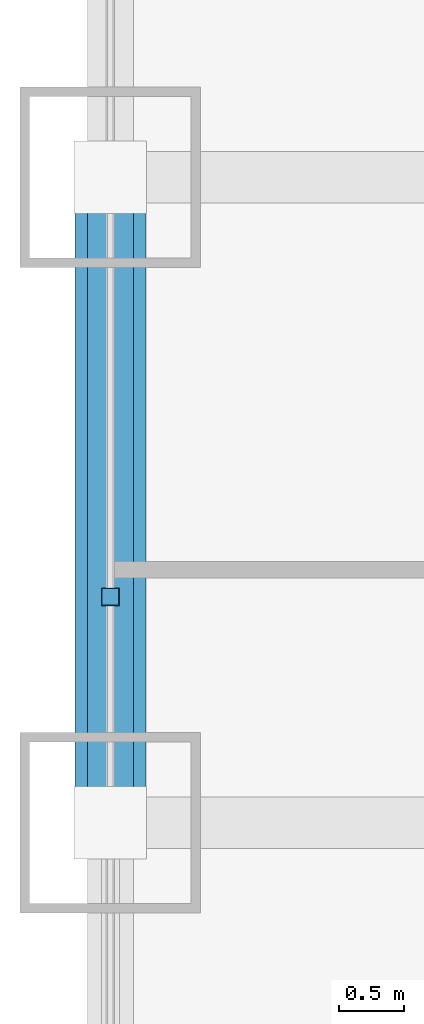
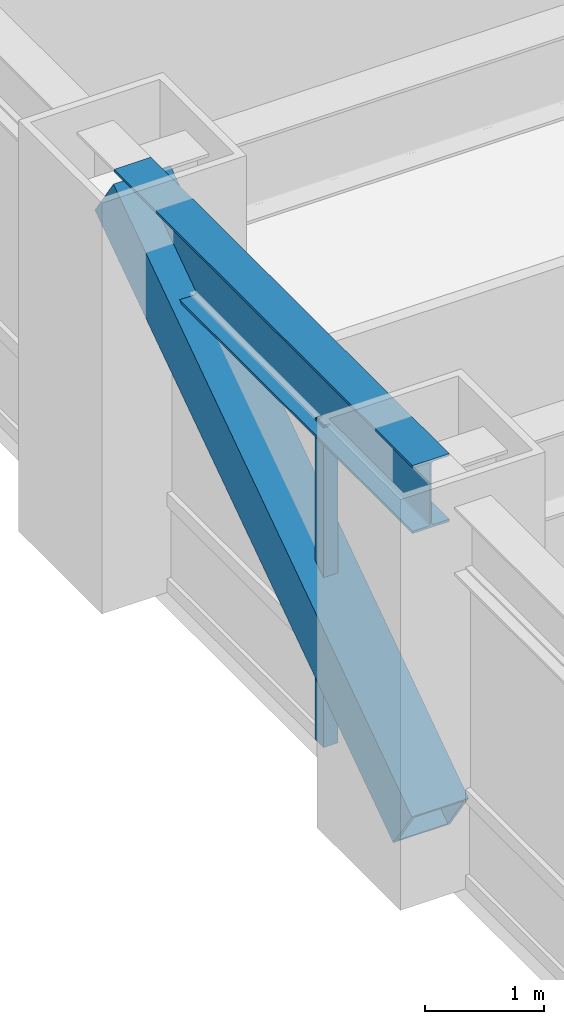
# One storey, part 6 of 28: 2 members, 1 beam, 1 element without a shape of its own.
"""IFC4 building model written with IfcOpenShell, lengths in metres."""

from ifc_helpers import new_model, si_unit, direction, frame, origin, origin_2d, place, context, subcontext, project, spatial, hollow_rectangle, i_section, extrude, source, transform, mapped, material, material_profile, profile_set, type_object, element, aggregate, save


model = new_model("IFC4")

# Units and contexts
model_context = context("Model", 3, precision=1e-05, world=origin(), true_north=direction((0.0, 1.0)))
body_context = subcontext(model_context, "Body", "Model", "MODEL_VIEW")
ifc_project = project(units=[si_unit("LENGTHUNIT", "METRE"), si_unit("AREAUNIT", "SQUARE_METRE"), si_unit("VOLUMEUNIT", "CUBIC_METRE"), si_unit("PLANEANGLEUNIT", "RADIAN"), si_unit("MASSUNIT", "GRAM", prefix="KILO")], contexts=[model_context])

# Site, building, storey
site_placement = place(None, origin())
site = spatial("IfcSite", under=ifc_project, at=site_placement, CompositionType="ELEMENT")
building_placement = place(site_placement, origin())
building = spatial("IfcBuilding", under=site, at=building_placement, Name="Khorayat Bourse Tower", CompositionType="ELEMENT")
storey_placement = place(building_placement, frame((0.0, 0.0, 62.0)))
storey = spatial("IfcBuildingStorey", under=building, at=storey_placement, Name="L13", CompositionType="ELEMENT", Elevation=62.0)

# Beam
ifc_material_1 = material(Name="Steel ASTM A992 Grade 50", Category="steel")
ifc_material_profile_1 = material_profile(ifc_material_1, i_section(OverallWidth=0.35498046875, OverallDepth=0.695068359375, WebThickness=0.015380859375, FlangeThickness=0.02490234375, FilletRadius=0.01806640625, at=origin_2d()), Name="W690X217")
ifc_profile_set_1 = profile_set([ifc_material_profile_1], Name="Steel ASTM A992 Grade 50")
beam_type = type_object("IfcBeamType", Name="BM-SPAN-690", PredefinedType="SPANDREL", material=ifc_profile_set_1)
shared_shape_1 = source(origin(), body_context, "Body", "SweptSolid", [
    extrude(i_section(OverallWidth=0.35498046875, OverallDepth=0.695068359375, WebThickness=0.015380859375, FlangeThickness=0.02490234375, FilletRadius=0.01806640625, at=origin_2d()), origin(), (0.0, 0.0, 1.0), 5.0),
])
beam_placement = place(storey_placement, frame((-32.0, -11.0, 3.592529296875), z_axis=(0.0, 1.0, 0.0), x_axis=(-1.0, 0.0, 0.0)))
element("IfcBeam", 1, at=beam_placement, inside=storey, type_object=beam_type, Name="L13 BM-SPAN-690 BM-L13-SPN-059", PredefinedType="SPANDREL", context=body_context, shape_type="MappedRepresentation", body=[
    mapped(shared_shape_1, transform((0.0, 0.0, 0.0), scale=1.0)),
])

# Member
ifc_material_2 = material(Name="Steel EN 10025-4 S460M", Category="steel")
ifc_material_profile_2 = material_profile(ifc_material_2, hollow_rectangle(XDim=0.550048828125, YDim=0.550048828125, WallThickness=0.031982421875, at=origin_2d()), Name="HSS 550x550x32")
ifc_profile_set_2 = profile_set([ifc_material_profile_2], Name="Steel EN 10025-4 S460M")
member_type_1 = type_object("IfcMemberType", Name="MBR-TUBE-550", PredefinedType="BRACE", material=ifc_profile_set_2)
shared_shape_2 = source(origin(), body_context, "Body", "SweptSolid", [
    extrude(hollow_rectangle(XDim=0.550048828125, YDim=0.550048828125, WallThickness=0.031982421875, at=origin_2d()), origin(), (0.0, 0.0, 1.0), 6.069091796875),
])
member_1_placement = place(storey_placement, frame((-32.0, -11.0, 0.25), z_axis=(0.0, 0.823854080622, 0.566801952928), x_axis=(-1.0, 0.0, 0.0)))
element("IfcMember", 2, at=member_1_placement, inside=storey, type_object=member_type_1, Name="L13 Perimeter Tube Brace 05", PredefinedType="BRACE", context=body_context, shape_type="MappedRepresentation", body=[
    mapped(shared_shape_2, transform((0.0, 0.0, 0.0), scale=1.0)),
])

# Curtain wall, member
ifc_material_3 = material(Name="Aluminium EN AW-6063 T6", Category="aluminium")
curtain_wall_type = type_object("IfcCurtainWallType", Name="CW-SYS-02", PredefinedType="NOTDEFINED", material=ifc_material_3)
curtain_wall_placement = place(storey_placement, origin())
curtain_wall = element("IfcCurtainWall", 3, at=curtain_wall_placement, inside=storey, type_object=curtain_wall_type, Name="L13 Curtain Wall CW-L13-W1", PredefinedType="NOTDEFINED")
ifc_material_profile_3 = material_profile(ifc_material_3, hollow_rectangle(XDim=0.139892578125, YDim=0.139892578125, WallThickness=0.006103515625, at=origin_2d()), Name="ALU 140x140x6")
ifc_profile_set_3 = profile_set([ifc_material_profile_3], Name="Aluminium EN AW-6063 T6")
member_type_2 = type_object("IfcMemberType", Name="CWM-VERT-140", PredefinedType="MULLION", material=ifc_profile_set_3)
shared_shape_3 = source(origin(), body_context, "Body", "SweptSolid", [
    extrude(hollow_rectangle(XDim=0.139892578125, YDim=0.139892578125, WallThickness=0.006103515625, at=origin_2d()), origin(), (0.0, 0.0, 1.0), 3.2900390625),
])
member_2_placement = place(storey_placement, frame((-32.0, -9.25, 0.0), z_axis=(0.0, 0.0, 1.0), x_axis=(-1.0, 0.0, 0.0)))
member_2 = element("IfcMember", 4, at=member_2_placement, type_object=member_type_2, Name="CW-L13-W1 Vertical Mullion 2", PredefinedType="MULLION", context=body_context, shape_type="MappedRepresentation", body=[
    mapped(shared_shape_3, transform((0.0, 0.0, 0.0), scale=1.0)),
])
aggregate(curtain_wall, [member_2])

save(model, "model.ifc")
